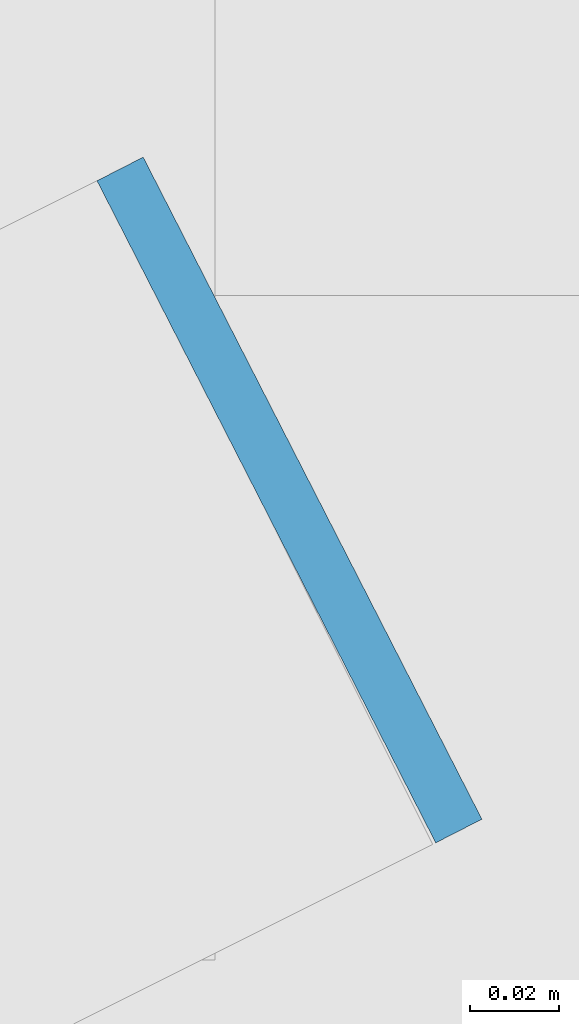
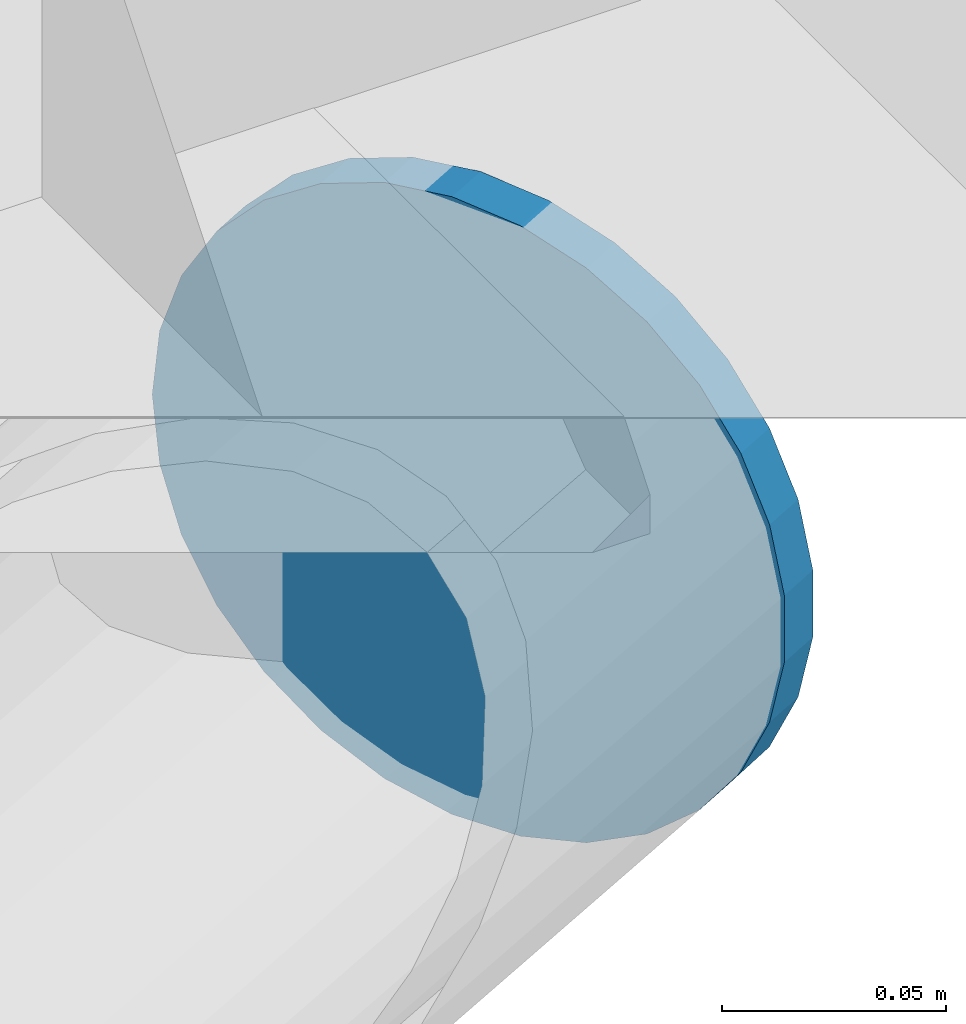
# One storey, part 80 of 110: 1 discrete accessory.
"""IFC4 building model written with IfcOpenShell, lengths in metres."""

import ifcopenshell
import ifcopenshell.guid

model = None  # the IFC model being written
_history = None  # IfcOwnerHistory: only IFC2X3 demands one
_inside = {}  # id of a spatial element -> (the spatial element, [elements in it])
_under = {}  # id of a project, library or spatial element -> (it, [spatial elements below it])
_declared = {}  # id of a project -> (the project, [libraries it declares])
_typed = {}  # id of a type object -> (the type object, [elements of that type])
_made_of = {}  # id of a material, layer set ... -> (it, [elements and type objects made of it])


def new_model(schema):
    """Start an empty IFC model of exactly this schema.

    Asked for "IFC4X3", IfcOpenShell would pick the latest addendum, in which some entities
    have other attributes; the version numbers below select the first issue.
    IFC2X3 requires an IfcOwnerHistory on every rooted entity: one is made here for all.
    """
    global model, _history
    if schema == "IFC4X3":
        model = ifcopenshell.file(schema_version=(4, 3, 0, 0))
    else:
        model = ifcopenshell.file(schema=schema)
    _inside.clear()
    _under.clear()
    _declared.clear()
    _typed.clear()
    _made_of.clear()
    _history = None
    if model.schema == "IFC2X3":
        org = make("IfcOrganization", Name="unknown")
        user = make(
            "IfcPersonAndOrganization",
            ThePerson=make("IfcPerson", FamilyName="unknown"),
            TheOrganization=org,
        )
        app = make(
            "IfcApplication",
            ApplicationDeveloper=org,
            Version="unknown",
            ApplicationFullName="unknown",
            ApplicationIdentifier="unknown",
        )
        _history = make(
            "IfcOwnerHistory",
            OwningUser=user,
            OwningApplication=app,
            ChangeAction="ADDED",
            CreationDate=0,
        )
    return model


def make(cls, **values):
    """One entity of the class cls with the attributes given. An attribute that is None is left unset."""
    return model.create_entity(
        cls, **{name: value for name, value in values.items() if value is not None}
    )


def rooted(cls, **values):
    """An entity with a GlobalId (a new one), such as an element, a storey or a relation."""
    return make(cls, GlobalId=ifcopenshell.guid.new(), OwnerHistory=_history, **values)


def si_unit(unit_type, name, prefix=None):
    """IfcSIUnit, for example si_unit("LENGTHUNIT", "METRE", prefix="MILLI")."""
    return make("IfcSIUnit", UnitType=unit_type, Prefix=prefix, Name=name)


def assignment(units):
    """IfcUnitAssignment: the units of a project."""
    return None if units is None else make("IfcUnitAssignment", Units=units)


def point(xyz):
    """IfcCartesianPoint."""
    return None if xyz is None else make("IfcCartesianPoint", Coordinates=xyz)


def direction(xyz):
    """IfcDirection."""
    return None if xyz is None else make("IfcDirection", DirectionRatios=xyz)


def frame(location, z_axis=None, x_axis=None):
    """IfcAxis2Placement3D, a coordinate frame: its origin and axes. An axis left out is left unset."""
    return make(
        "IfcAxis2Placement3D",
        Location=point(location),
        Axis=direction(z_axis),
        RefDirection=direction(x_axis),
    )


def frame_2d(location, x_axis=None):
    """IfcAxis2Placement2D, a coordinate frame in the plane: its origin and x axis."""
    return make(
        "IfcAxis2Placement2D", Location=point(location), RefDirection=direction(x_axis)
    )


def origin():
    """The frame at (0, 0, 0) with its axes left unset."""
    return frame((0.0, 0.0, 0.0))


def origin_2d():
    """The frame at (0, 0) in the plane with its x axis left unset."""
    return frame_2d((0.0, 0.0))


def place(relative_to, where):
    """IfcLocalPlacement: puts the frame where relative to a parent placement (None: the world)."""
    return make(
        "IfcLocalPlacement", PlacementRelTo=relative_to, RelativePlacement=where
    )


def context(
    kind, dimensions, precision=None, world=None, true_north=None, identifier=None
):
    """IfcGeometricRepresentationContext, for example the 3D "Model" context."""
    return make(
        "IfcGeometricRepresentationContext",
        ContextIdentifier=identifier,
        ContextType=kind,
        CoordinateSpaceDimension=dimensions,
        Precision=precision,
        WorldCoordinateSystem=world,
        TrueNorth=true_north,
    )


def subcontext(parent, identifier, kind, view, scale=None):
    """IfcGeometricRepresentationSubContext, for example "Body" below "Model"."""
    return make(
        "IfcGeometricRepresentationSubContext",
        ContextIdentifier=identifier,
        ContextType=kind,
        ParentContext=parent,
        TargetScale=scale,
        TargetView=view,
    )


def project(units=None, contexts=None):
    """IfcProject with its units and contexts."""
    return rooted(
        "IfcProject",
        Name="project",
        RepresentationContexts=contexts,
        UnitsInContext=assignment(units),
    )


def spatial(cls, under=None, at=None, **own):
    """A site, building, storey or space (cls), placed at a placement, below another one or the project."""
    s = rooted(cls, ObjectPlacement=at, **own)
    if under is not None:
        _under.setdefault(under.id(), (under, []))[1].append(s)
    return s


def profile(cls, at=None, kind="AREA", **sizes):
    """A parametric profile (cls). Its sizes go by their IFC names, for example OverallWidth=200.0."""
    return make(cls, ProfileType=kind, Position=at, **sizes)


def circle(**sizes):
    """IfcCircleProfileDef."""
    return profile("IfcCircleProfileDef", **sizes)


def extrude(swept, where, along, depth):
    """IfcExtrudedAreaSolid: the profile swept, set in the frame where, extruded along a direction by depth."""
    return make(
        "IfcExtrudedAreaSolid",
        SweptArea=swept,
        Position=where,
        ExtrudedDirection=direction(along),
        Depth=depth,
    )


def shape(context_of_items, identifier, shape_type, items):
    """IfcShapeRepresentation: the items that make up one representation, for example the "Body"."""
    return make(
        "IfcShapeRepresentation",
        ContextOfItems=context_of_items,
        RepresentationIdentifier=identifier,
        RepresentationType=shape_type,
        Items=items,
    )


def material(Name=None, Category=None):
    """IfcMaterial."""
    return make("IfcMaterial", Name=Name, Category=Category)


def layer(
    of_material, thickness, ventilated=None, Name=None, Category=None, Priority=None
):
    """IfcMaterialLayer: one layer of a wall or slab, of a material (None: an air gap)."""
    return make(
        "IfcMaterialLayer",
        Material=of_material,
        LayerThickness=thickness,
        IsVentilated=ventilated,
        Name=Name,
        Category=Category,
        Priority=Priority,
    )


def layer_set(layers, Name=None):
    """IfcMaterialLayerSet."""
    return make("IfcMaterialLayerSet", MaterialLayers=layers, LayerSetName=Name)


def made_of(thing, what):
    """Note that an element or type object is made of a material, layer set ...; save() writes the relation."""
    if what is not None:
        _made_of.setdefault(what.id(), (what, []))[1].append(thing)
    return thing


def type_object(cls, material=None, **own):
    """A type object (cls), such as IfcWallType, which elements share."""
    return made_of(rooted(cls, **own), material)


def element(
    cls,
    number,
    at=None,
    inside=None,
    cuts=None,
    type_object=None,
    material=None,
    context=None,
    identifier="Body",
    shape_type=None,
    held_by="IfcProductDefinitionShape",
    body=None,
    shapes=None,
    **own,
):
    """One element of the class cls, such as IfcWall. Its Tag is "e" and its number.

    at: its placement. inside: the storey or other place that contains it. cuts: it is an
    opening in that element (IfcRelVoidsElement). A single representation is given by context,
    identifier, shape_type and body (its items); several are given by shapes. held_by: the class
    of the entity that holds the representations. save() writes the other relations.
    """
    e = rooted(cls, Tag="e%d" % number, ObjectPlacement=at, **own)
    if body is not None:
        shapes = [shape(context, identifier, shape_type, body)]
    if shapes is not None:
        e.Representation = make(held_by, Representations=shapes)
    if inside is not None:
        _inside.setdefault(inside.id(), (inside, []))[1].append(e)
    if cuts is not None:
        rooted(
            "IfcRelVoidsElement", RelatingBuildingElement=cuts, RelatedOpeningElement=e
        )
    if type_object is not None:
        _typed.setdefault(type_object.id(), (type_object, []))[1].append(e)
    return made_of(e, material)


def aggregate(whole, parts):
    """IfcRelAggregates: a whole, such as a stair, and the parts it consists of."""
    return rooted("IfcRelAggregates", RelatingObject=whole, RelatedObjects=parts)


def save(model, path):
    """Write the relations noted so far, then the file.

    IfcRelAggregates (storeys below a building ...), IfcRelContainedInSpatialStructure (elements
    in a storey), IfcRelDefinesByType, IfcRelAssociatesMaterial and IfcRelDeclares: one each for
    every whole, place, type object, material and project.
    """
    for whole, parts in _under.values():
        aggregate(whole, parts)
    for where, things in _inside.values():
        rooted(
            "IfcRelContainedInSpatialStructure",
            RelatedElements=things,
            RelatingStructure=where,
        )
    for kind, things in _typed.values():
        rooted("IfcRelDefinesByType", RelatedObjects=things, RelatingType=kind)
    for what, things in _made_of.values():
        rooted("IfcRelAssociatesMaterial", RelatedObjects=things, RelatingMaterial=what)
    for by, libraries in _declared.values():
        rooted("IfcRelDeclares", RelatingContext=by, RelatedDefinitions=libraries)
    model.write(path)


model = new_model("IFC4")

# Units and contexts
model_context = context("Model", 3, precision=1e-05, world=origin(), true_north=direction((0.0, 1.0)))
body_context = subcontext(model_context, "Body", "Model", "MODEL_VIEW")
ifc_project = project(units=[si_unit("LENGTHUNIT", "METRE"), si_unit("AREAUNIT", "SQUARE_METRE"), si_unit("VOLUMEUNIT", "CUBIC_METRE"), si_unit("PLANEANGLEUNIT", "RADIAN"), si_unit("MASSUNIT", "GRAM", prefix="KILO")], contexts=[model_context])

# Site, building, storey
site_placement = place(None, origin())
site = spatial("IfcSite", under=ifc_project, at=site_placement, CompositionType="ELEMENT")
building_placement = place(site_placement, origin())
building = spatial("IfcBuilding", under=site, at=building_placement, Name="Kupolbacken Congress Centre", CompositionType="ELEMENT")
storey_placement = place(building_placement, frame((0.0, 0.0, 18.0)))
storey = spatial("IfcBuildingStorey", under=building, at=storey_placement, Name="L05", CompositionType="ELEMENT", Elevation=18.0)

# Discrete accessory
ifc_material = material(Name="Steel S355", Category="steel")
ifc_layer = layer(ifc_material, 0.011962890625)
ifc_layer_set = layer_set([ifc_layer], Name="Steel S355")
discrete_accessory_type = type_object("IfcDiscreteAccessoryType", Name="EC2 tube end cap plate 168 dia x 12", PredefinedType="BRACKET", material=ifc_layer_set)
discrete_accessory_placement = place(storey_placement, frame((201.501708984375, 151.15087890625, -0.084228515625), z_axis=(0.890248162977, 0.455475804314, 0.0), x_axis=(-0.455475804314, 0.890248162977, 0.0)))
element("IfcDiscreteAccessory", 1, at=discrete_accessory_placement, inside=storey, type_object=discrete_accessory_type, Name="End cap plate BR/RB/07-07 B", PredefinedType="BRACKET", context=body_context, shape_type="SweptSolid", body=[
    extrude(circle(Radius=0.084228515625, at=origin_2d()), origin(), (0.0, 0.0, 1.0), 0.01171875),
])

save(model, "model.ifc")
